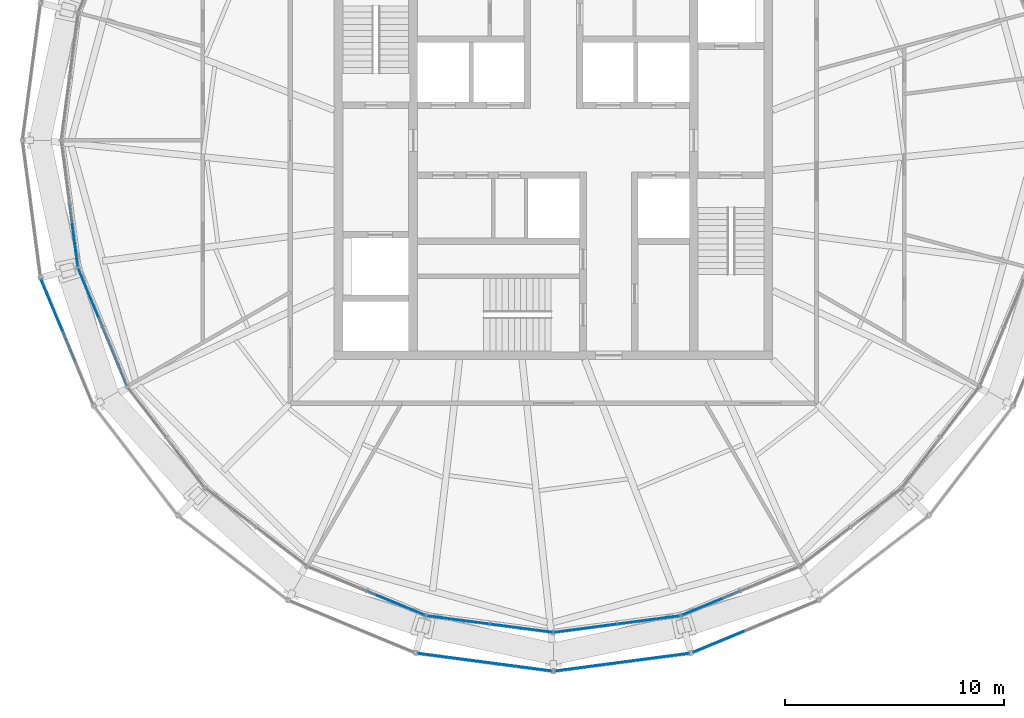
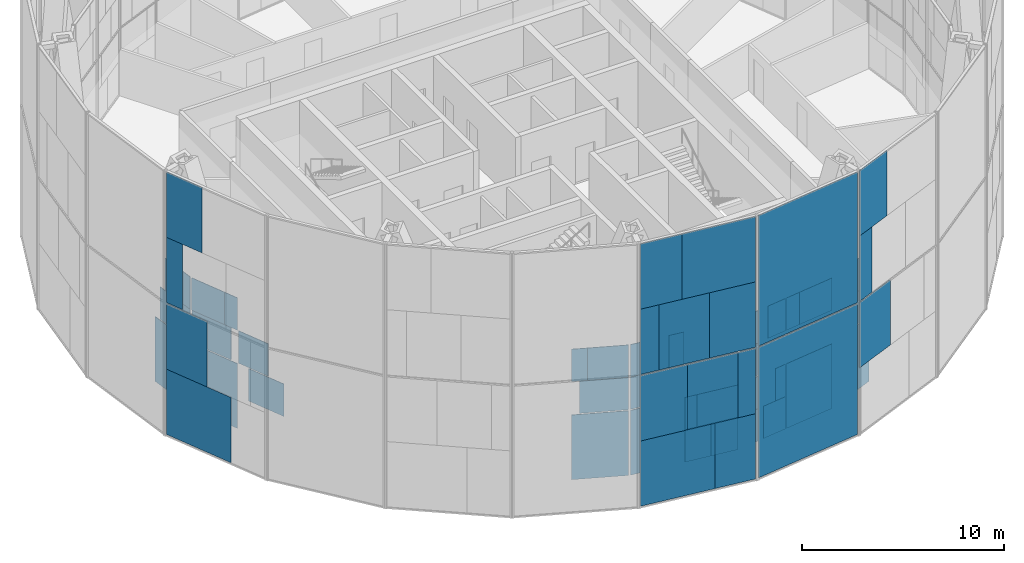
# One storey, part 10 of 22: 61 plates, 10 elements without a shape of their own.
"""IFC4 building model written with IfcOpenShell, lengths in metres."""

from ifc_helpers import new_model, si_unit, direction, frame, origin, origin_2d, place, context, subcontext, project, spatial, rectangle, extrude, material, layer, layer_set, type_object, element, aggregate, save


model = new_model("IFC4")

# Units and contexts
model_context = context("Model", 3, precision=1e-05, world=origin(), true_north=direction((0.0, 1.0)))
body_context = subcontext(model_context, "Body", "Model", "MODEL_VIEW")
ifc_project = project(units=[si_unit("LENGTHUNIT", "METRE"), si_unit("AREAUNIT", "SQUARE_METRE"), si_unit("VOLUMEUNIT", "CUBIC_METRE"), si_unit("PLANEANGLEUNIT", "RADIAN"), si_unit("MASSUNIT", "GRAM", prefix="KILO")], contexts=[model_context])

# Site, building, storey
site_placement = place(None, origin())
site = spatial("IfcSite", under=ifc_project, at=site_placement, CompositionType="ELEMENT")
building_placement = place(site_placement, origin())
building = spatial("IfcBuilding", under=site, at=building_placement, Name="Golbaran Civic Tower", CompositionType="ELEMENT")
storey_placement = place(building_placement, frame((0.0, 0.0, 248.0)))
storey = spatial("IfcBuildingStorey", under=building, at=storey_placement, Name="L60", CompositionType="ELEMENT", Elevation=248.0)

# Curtain wall, plates
ifc_material_1 = material(Name="Aluminium and glass", Category="aluminium")
curtain_wall_type_1 = type_object("IfcCurtainWallType", Name="INNER SKIN CURTAIN WALL EXECUTIVE", PredefinedType="NOTDEFINED", material=ifc_material_1)
curtain_wall_1_placement = place(storey_placement, origin())
curtain_wall_1 = element("IfcCurtainWall", 1, at=curtain_wall_1_placement, inside=storey, type_object=curtain_wall_type_1, Name="Inner skin L60 facet 13 CW2", ObjectType="INNER SKIN", PredefinedType="USERDEFINED")
ifc_material_2 = material(Name="Clear insulating glass", Category="glass")
ifc_layer_1 = layer(ifc_material_2, 0.031982421875, Name="Clear insulating glass")
ifc_layer_set_1 = layer_set([ifc_layer_1], Name="Clear insulating glass")
plate_type_1 = type_object("IfcPlateType", Name="INNER SKIN CURTAIN WALL EXECUTIVE GLAZED PANEL", PredefinedType="CURTAIN_PANEL", material=ifc_layer_set_1)
plate_1_placement = place(storey_placement, frame((-21.880126953125, -4.34326171875, 0.06005859375), z_axis=(0.0, 0.0, 1.0), x_axis=(0.130526192185, -0.991444861378, 0.0)))
plate_1 = element("IfcPlate", 2, at=plate_1_placement, type_object=plate_type_1, Name="CW2 panel 2.1", PredefinedType="CURTAIN_PANEL", context=body_context, shape_type="SweptSolid", body=[
    extrude(rectangle(XDim=2.840576171875, YDim=0.031982421875, at=origin_2d()), origin(), (0.0, 0.0, 1.0), 3.909912109375),
])
plate_2_placement = place(storey_placement, frame((-21.85400390625, -4.541748046875, 4.030029296875), z_axis=(0.0, 0.0, 1.0), x_axis=(0.130526192185, -0.991444861378, 0.0)))
plate_2 = element("IfcPlate", 3, at=plate_2_placement, type_object=plate_type_1, Name="CW2 panel 2.2 part 2", PredefinedType="CURTAIN_PANEL", context=body_context, shape_type="SweptSolid", body=[
    extrude(rectangle(XDim=2.440673828125, YDim=0.031982421875, at=origin_2d()), origin(), (0.0, 0.0, 1.0), 1.955078125),
])
plate_3_placement = place(storey_placement, frame((-21.828125, -4.738525390625, 5.98486328125), z_axis=(0.0, 0.0, 1.0), x_axis=(0.130526192185, -0.991444861378, 0.0)))
plate_3 = element("IfcPlate", 4, at=plate_3_placement, type_object=plate_type_1, Name="CW2 panel 2.2 part 4", PredefinedType="CURTAIN_PANEL", context=body_context, shape_type="SweptSolid", body=[
    extrude(rectangle(XDim=2.04345703125, YDim=0.031982421875, at=origin_2d()), origin(), (0.0, 0.0, 1.0), 1.955078125),
])
aggregate(curtain_wall_1, [plate_1, plate_2, plate_3])

curtain_wall_2_placement = place(storey_placement, origin())
curtain_wall_2 = element("IfcCurtainWall", 5, at=curtain_wall_2_placement, inside=storey, type_object=curtain_wall_type_1, Name="Inner skin L60 facet 14 CW2", ObjectType="INNER SKIN", PredefinedType="USERDEFINED")
plate_4_placement = place(storey_placement, frame((-21.12060546875, -7.1787109375, 0.06005859375), z_axis=(0.0, 0.0, 1.0), x_axis=(0.382683432381, -0.923879532505, 0.0)))
plate_4 = element("IfcPlate", 6, at=plate_4_placement, type_object=plate_type_1, Name="CW2 panel 1.1", PredefinedType="CURTAIN_PANEL", context=body_context, shape_type="SweptSolid", body=[
    extrude(rectangle(XDim=2.840576171875, YDim=0.031982421875, at=origin_2d()), origin(), (0.0, 0.0, 1.0), 3.909912109375),
])
plate_5_placement = place(storey_placement, frame((-21.197265625, -6.9931640625, 4.030029296875), z_axis=(0.0, 0.0, 1.0), x_axis=(0.382683432381, -0.923879532505, 0.0)))
plate_5 = element("IfcPlate", 7, at=plate_5_placement, type_object=plate_type_1, Name="CW2 panel 1.2 part 1", PredefinedType="CURTAIN_PANEL", context=body_context, shape_type="SweptSolid", body=[
    extrude(rectangle(XDim=2.43896484375, YDim=0.031982421875, at=origin_2d()), origin(), (0.0, 0.0, 1.0), 1.955078125),
])
plate_6_placement = place(storey_placement, frame((-21.273193359375, -6.810302734375, 5.98486328125), z_axis=(0.0, 0.0, 1.0), x_axis=(0.382683432381, -0.923879532505, 0.0)))
plate_6 = element("IfcPlate", 8, at=plate_6_placement, type_object=plate_type_1, Name="CW2 panel 1.2 part 3", PredefinedType="CURTAIN_PANEL", context=body_context, shape_type="SweptSolid", body=[
    extrude(rectangle(XDim=2.04296875, YDim=0.031982421875, at=origin_2d()), origin(), (0.0, 0.0, 1.0), 1.955078125),
])

curtain_wall_3_placement = place(storey_placement, origin())
curtain_wall_3 = element("IfcCurtainWall", 9, at=curtain_wall_3_placement, inside=storey, type_object=curtain_wall_type_1, Name="Inner skin L60 facet 17 CW2", ObjectType="INNER SKIN", PredefinedType="USERDEFINED")
plate_7_placement = place(storey_placement, frame((-7.1787109375, -21.12060546875, 0.06005859375), z_axis=(0.0, 0.0, 1.0), x_axis=(0.923879532505, -0.382683432381, 0.0)))
plate_7 = element("IfcPlate", 10, at=plate_7_placement, type_object=plate_type_1, Name="CW2 panel 2.1", PredefinedType="CURTAIN_PANEL", context=body_context, shape_type="SweptSolid", body=[
    extrude(rectangle(XDim=2.840576171875, YDim=0.031982421875, at=origin_2d()), origin(), (0.0, 0.0, 1.0), 3.909912109375),
])
plate_8_placement = place(storey_placement, frame((-6.993896484375, -21.197021484375, 4.030029296875), z_axis=(0.0, 0.0, 1.0), x_axis=(0.923879532505, -0.382683432381, 0.0)))
plate_8 = element("IfcPlate", 11, at=plate_8_placement, type_object=plate_type_1, Name="CW2 panel 2.2 part 2", PredefinedType="CURTAIN_PANEL", context=body_context, shape_type="SweptSolid", body=[
    extrude(rectangle(XDim=2.440673828125, YDim=0.031982421875, at=origin_2d()), origin(), (0.0, 0.0, 1.0), 1.955078125),
])
plate_9_placement = place(storey_placement, frame((-6.810546875, -21.27294921875, 5.98486328125), z_axis=(0.0, 0.0, 1.0), x_axis=(0.923879532505, -0.382683432381, 0.0)))
plate_9 = element("IfcPlate", 12, at=plate_9_placement, type_object=plate_type_1, Name="CW2 panel 2.2 part 4", PredefinedType="CURTAIN_PANEL", context=body_context, shape_type="SweptSolid", body=[
    extrude(rectangle(XDim=2.04345703125, YDim=0.031982421875, at=origin_2d()), origin(), (0.0, 0.0, 1.0), 1.955078125),
])

curtain_wall_4_placement = place(storey_placement, origin())
curtain_wall_4 = element("IfcCurtainWall", 13, at=curtain_wall_4_placement, inside=storey, type_object=curtain_wall_type_1, Name="Inner skin L60 facet 18 CW2", ObjectType="INNER SKIN", PredefinedType="USERDEFINED")
plate_10_placement = place(storey_placement, frame((-4.34326171875, -21.880126953125, 0.06005859375), z_axis=(0.0, 0.0, 1.0), x_axis=(0.991444861378, -0.130526192185, 0.0)))
plate_10 = element("IfcPlate", 14, at=plate_10_placement, type_object=plate_type_1, Name="CW2 panel 1.1", PredefinedType="CURTAIN_PANEL", context=body_context, shape_type="SweptSolid", body=[
    extrude(rectangle(XDim=2.840576171875, YDim=0.031982421875, at=origin_2d()), origin(), (0.0, 0.0, 1.0), 3.909912109375),
])
plate_11_placement = place(storey_placement, frame((-4.54248046875, -21.85400390625, 4.030029296875), z_axis=(0.0, 0.0, 1.0), x_axis=(0.991444861378, -0.130526192185, 0.0)))
plate_11 = element("IfcPlate", 15, at=plate_11_placement, type_object=plate_type_1, Name="CW2 panel 1.2 part 1", PredefinedType="CURTAIN_PANEL", context=body_context, shape_type="SweptSolid", body=[
    extrude(rectangle(XDim=2.43896484375, YDim=0.031982421875, at=origin_2d()), origin(), (0.0, 0.0, 1.0), 1.955078125),
])
plate_12_placement = place(storey_placement, frame((-4.73876953125, -21.828125, 5.98486328125), z_axis=(0.0, 0.0, 1.0), x_axis=(0.991444861378, -0.130526192185, 0.0)))
plate_12 = element("IfcPlate", 16, at=plate_12_placement, type_object=plate_type_1, Name="CW2 panel 1.2 part 3", PredefinedType="CURTAIN_PANEL", context=body_context, shape_type="SweptSolid", body=[
    extrude(rectangle(XDim=2.04296875, YDim=0.031982421875, at=origin_2d()), origin(), (0.0, 0.0, 1.0), 1.955078125),
])
plate_13_placement = place(storey_placement, frame((-2.190185546875, -22.16357421875, 0.06005859375), z_axis=(0.0, 0.0, 1.0), x_axis=(0.991444861378, -0.130526192185, 0.0)))
plate_13 = element("IfcPlate", 17, at=plate_13_placement, type_object=plate_type_1, Name="CW2 panel 2.1 part 1", PredefinedType="CURTAIN_PANEL", context=body_context, shape_type="SweptSolid", body=[
    extrude(rectangle(XDim=1.383056640625, YDim=0.031982421875, at=origin_2d()), origin(), (0.0, 0.0, 1.0), 1.955078125),
])
plate_14_placement = place(storey_placement, frame((-2.556396484375, -22.115478515625, 2.014892578125), z_axis=(0.0, 0.0, 1.0), x_axis=(0.991444861378, -0.130526192185, 0.0)))
plate_14 = element("IfcPlate", 18, at=plate_14_placement, type_object=plate_type_1, Name="CW2 panel 2.1 part 3", PredefinedType="CURTAIN_PANEL", context=body_context, shape_type="SweptSolid", body=[
    extrude(rectangle(XDim=0.64404296875, YDim=0.031982421875, at=origin_2d()), origin(), (0.0, 0.0, 1.0), 1.955078125),
])
plate_15_placement = place(storey_placement, frame((-0.551513671875, -22.37939453125, 4.030029296875), z_axis=(0.0, 0.0, 1.0), x_axis=(0.991444861378, -0.130526192185, 0.0)))
plate_15 = element("IfcPlate", 19, at=plate_15_placement, type_object=plate_type_1, Name="CW2 panel 2.2 part 2", PredefinedType="CURTAIN_PANEL", context=body_context, shape_type="SweptSolid", body=[
    extrude(rectangle(XDim=0.99267578125, YDim=0.031982421875, at=origin_2d()), origin(), (0.0, 0.0, 1.0), 1.955078125),
])
plate_16_placement = place(storey_placement, frame((-0.91845703125, -22.3310546875, 5.98486328125), z_axis=(0.0, 0.0, 1.0), x_axis=(0.991444861378, -0.130526192185, 0.0)))
plate_16 = element("IfcPlate", 20, at=plate_16_placement, type_object=plate_type_1, Name="CW2 panel 2.2 part 4", PredefinedType="CURTAIN_PANEL", context=body_context, shape_type="SweptSolid", body=[
    extrude(rectangle(XDim=1.732666015625, YDim=0.031982421875, at=origin_2d()), origin(), (0.0, 0.0, 1.0), 1.955078125),
])

curtain_wall_5_placement = place(storey_placement, origin())
curtain_wall_5 = element("IfcCurtainWall", 21, at=curtain_wall_5_placement, inside=storey, type_object=curtain_wall_type_1, Name="Inner skin L60 facet 19 CW2", ObjectType="INNER SKIN", PredefinedType="USERDEFINED")
plate_17_placement = place(storey_placement, frame((2.18994140625, -22.16357421875, 0.06005859375), z_axis=(0.0, 0.0, 1.0), x_axis=(0.991444861378, 0.130526192185, 0.0)))
plate_17 = element("IfcPlate", 22, at=plate_17_placement, type_object=plate_type_1, Name="CW2 panel 1.1 part 2", PredefinedType="CURTAIN_PANEL", context=body_context, shape_type="SweptSolid", body=[
    extrude(rectangle(XDim=1.383544921875, YDim=0.031982421875, at=origin_2d()), origin(), (0.0, 0.0, 1.0), 1.955078125),
])
plate_18_placement = place(storey_placement, frame((2.55615234375, -22.115478515625, 2.014892578125), z_axis=(0.0, 0.0, 1.0), x_axis=(0.991444861378, 0.130526192185, 0.0)))
plate_18 = element("IfcPlate", 23, at=plate_18_placement, type_object=plate_type_1, Name="CW2 panel 1.1 part 4", PredefinedType="CURTAIN_PANEL", context=body_context, shape_type="SweptSolid", body=[
    extrude(rectangle(XDim=0.64453125, YDim=0.031982421875, at=origin_2d()), origin(), (0.0, 0.0, 1.0), 1.955078125),
])
plate_19_placement = place(storey_placement, frame((0.5517578125, -22.37939453125, 4.030029296875), z_axis=(0.0, 0.0, 1.0), x_axis=(0.991444861378, 0.130526192185, 0.0)))
plate_19 = element("IfcPlate", 24, at=plate_19_placement, type_object=plate_type_1, Name="CW2 panel 1.2 part 1", PredefinedType="CURTAIN_PANEL", context=body_context, shape_type="SweptSolid", body=[
    extrude(rectangle(XDim=0.992919921875, YDim=0.031982421875, at=origin_2d()), origin(), (0.0, 0.0, 1.0), 1.955078125),
])
plate_20_placement = place(storey_placement, frame((0.91796875, -22.3310546875, 5.98486328125), z_axis=(0.0, 0.0, 1.0), x_axis=(0.991444861378, 0.130526192185, 0.0)))
plate_20 = element("IfcPlate", 25, at=plate_20_placement, type_object=plate_type_1, Name="CW2 panel 1.2 part 3", PredefinedType="CURTAIN_PANEL", context=body_context, shape_type="SweptSolid", body=[
    extrude(rectangle(XDim=1.73193359375, YDim=0.031982421875, at=origin_2d()), origin(), (0.0, 0.0, 1.0), 1.955078125),
])
plate_21_placement = place(storey_placement, frame((4.34326171875, -21.880126953125, 0.06005859375), z_axis=(0.0, 0.0, 1.0), x_axis=(0.991444861378, 0.130526192185, 0.0)))
plate_21 = element("IfcPlate", 26, at=plate_21_placement, type_object=plate_type_1, Name="CW2 panel 2.1", PredefinedType="CURTAIN_PANEL", context=body_context, shape_type="SweptSolid", body=[
    extrude(rectangle(XDim=2.840576171875, YDim=0.031982421875, at=origin_2d()), origin(), (0.0, 0.0, 1.0), 3.909912109375),
])
plate_22_placement = place(storey_placement, frame((4.541748046875, -21.85400390625, 4.030029296875), z_axis=(0.0, 0.0, 1.0), x_axis=(0.991444861378, 0.130526192185, 0.0)))
plate_22 = element("IfcPlate", 27, at=plate_22_placement, type_object=plate_type_1, Name="CW2 panel 2.2 part 2", PredefinedType="CURTAIN_PANEL", context=body_context, shape_type="SweptSolid", body=[
    extrude(rectangle(XDim=2.440673828125, YDim=0.031982421875, at=origin_2d()), origin(), (0.0, 0.0, 1.0), 1.955078125),
])
plate_23_placement = place(storey_placement, frame((4.738525390625, -21.828125, 5.98486328125), z_axis=(0.0, 0.0, 1.0), x_axis=(0.991444861378, 0.130526192185, 0.0)))
plate_23 = element("IfcPlate", 28, at=plate_23_placement, type_object=plate_type_1, Name="CW2 panel 2.2 part 4", PredefinedType="CURTAIN_PANEL", context=body_context, shape_type="SweptSolid", body=[
    extrude(rectangle(XDim=2.04345703125, YDim=0.031982421875, at=origin_2d()), origin(), (0.0, 0.0, 1.0), 1.955078125),
])

curtain_wall_6_placement = place(storey_placement, origin())
curtain_wall_6 = element("IfcCurtainWall", 29, at=curtain_wall_6_placement, inside=storey, type_object=curtain_wall_type_1, Name="Inner skin L60 facet 20 CW2", ObjectType="INNER SKIN", PredefinedType="USERDEFINED")
plate_24_placement = place(storey_placement, frame((7.1787109375, -21.12060546875, 0.06005859375), z_axis=(0.0, 0.0, 1.0), x_axis=(0.923879532505, 0.382683432381, 0.0)))
plate_24 = element("IfcPlate", 30, at=plate_24_placement, type_object=plate_type_1, Name="CW2 panel 1.1", PredefinedType="CURTAIN_PANEL", context=body_context, shape_type="SweptSolid", body=[
    extrude(rectangle(XDim=2.840576171875, YDim=0.031982421875, at=origin_2d()), origin(), (0.0, 0.0, 1.0), 3.909912109375),
])
plate_25_placement = place(storey_placement, frame((6.9931640625, -21.197265625, 4.030029296875), z_axis=(0.0, 0.0, 1.0), x_axis=(0.923879532505, 0.382683432381, 0.0)))
plate_25 = element("IfcPlate", 31, at=plate_25_placement, type_object=plate_type_1, Name="CW2 panel 1.2 part 1", PredefinedType="CURTAIN_PANEL", context=body_context, shape_type="SweptSolid", body=[
    extrude(rectangle(XDim=2.43896484375, YDim=0.031982421875, at=origin_2d()), origin(), (0.0, 0.0, 1.0), 1.955078125),
])
plate_26_placement = place(storey_placement, frame((6.810302734375, -21.273193359375, 5.98486328125), z_axis=(0.0, 0.0, 1.0), x_axis=(0.923879532505, 0.382683432381, 0.0)))
plate_26 = element("IfcPlate", 32, at=plate_26_placement, type_object=plate_type_1, Name="CW2 panel 1.2 part 3", PredefinedType="CURTAIN_PANEL", context=body_context, shape_type="SweptSolid", body=[
    extrude(rectangle(XDim=2.04296875, YDim=0.031982421875, at=origin_2d()), origin(), (0.0, 0.0, 1.0), 1.955078125),
])
aggregate(curtain_wall_6, [plate_24, plate_25, plate_26])

# Plate
ifc_material_3 = material(Name="Aluminium faced opaque infill panel", Category="aluminium")
ifc_layer_2 = layer(ifc_material_3, 0.031982421875, Name="Aluminium faced opaque infill panel")
ifc_layer_set_2 = layer_set([ifc_layer_2], Name="Aluminium faced opaque infill panel")
plate_type_2 = type_object("IfcPlateType", Name="INNER SKIN CURTAIN WALL EXECUTIVE OPAQUE INFILL PANEL", PredefinedType="CURTAIN_PANEL", material=ifc_layer_set_2)
plate_27_placement = place(storey_placement, frame((-20.7294921875, -8.122314453125, 5.98486328125), z_axis=(0.0, 0.0, 1.0), x_axis=(0.382683432381, -0.923879532505, 0.0)))
plate_27 = element("IfcPlate", 33, at=plate_27_placement, type_object=plate_type_2, Name="CW2 infill panel 1.2 part 4", PredefinedType="CURTAIN_PANEL", context=body_context, shape_type="SweptSolid", body=[
    extrude(rectangle(XDim=0.797607421875, YDim=0.031982421875, at=origin_2d()), origin(), (0.0, 0.0, 1.0), 1.955078125),
])

plate_28_placement = place(storey_placement, frame((-19.88720703125, -10.15576171875, 2.014892578125), z_axis=(0.0, 0.0, 1.0), x_axis=(0.382683432381, -0.923879532505, 0.0)))
plate_28 = element("IfcPlate", 34, at=plate_28_placement, type_object=plate_type_2, Name="CW2 infill panel 2.1 part 4", PredefinedType="CURTAIN_PANEL", context=body_context, shape_type="SweptSolid", body=[
    extrude(rectangle(XDim=2.196533203125, YDim=0.031982421875, at=origin_2d()), origin(), (0.0, 0.0, 1.0), 1.955078125),
])

plate_29_placement = place(storey_placement, frame((-20.200439453125, -9.39990234375, 4.030029296875), z_axis=(0.0, 0.0, 1.0), x_axis=(0.382683432381, -0.923879532505, 0.0)))
plate_29 = element("IfcPlate", 35, at=plate_29_placement, type_object=plate_type_2, Name="CW2 infill panel 2.2 part 1", PredefinedType="CURTAIN_PANEL", context=body_context, shape_type="SweptSolid", body=[
    extrude(rectangle(XDim=1.847900390625, YDim=0.031982421875, at=origin_2d()), origin(), (0.0, 0.0, 1.0), 1.955078125),
])

aggregate(curtain_wall_2, [plate_4, plate_5, plate_6, plate_27, plate_28, plate_29])

plate_30_placement = place(storey_placement, frame((-8.12255859375, -20.7294921875, 5.98486328125), z_axis=(0.0, 0.0, 1.0), x_axis=(0.923879532505, -0.382683432381, 0.0)))
plate_30 = element("IfcPlate", 36, at=plate_30_placement, type_object=plate_type_2, Name="CW2 infill panel 2.2 part 3", PredefinedType="CURTAIN_PANEL", context=body_context, shape_type="SweptSolid", body=[
    extrude(rectangle(XDim=0.797119140625, YDim=0.031982421875, at=origin_2d()), origin(), (0.0, 0.0, 1.0), 1.955078125),
])

aggregate(curtain_wall_3, [plate_7, plate_8, plate_30, plate_9])

plate_31_placement = place(storey_placement, frame((-3.13427734375, -22.039306640625, 4.030029296875), z_axis=(0.0, 0.0, 1.0), x_axis=(0.991444861378, -0.130526192185, 0.0)))
plate_31 = element("IfcPlate", 37, at=plate_31_placement, type_object=plate_type_2, Name="CW2 infill panel 1.2 part 2", PredefinedType="CURTAIN_PANEL", context=body_context, shape_type="SweptSolid", body=[
    extrude(rectangle(XDim=0.401611328125, YDim=0.031982421875, at=origin_2d()), origin(), (0.0, 0.0, 1.0), 1.955078125),
])

plate_32_placement = place(storey_placement, frame((-3.33056640625, -22.013427734375, 5.98486328125), z_axis=(0.0, 0.0, 1.0), x_axis=(0.991444861378, -0.130526192185, 0.0)))
plate_32 = element("IfcPlate", 38, at=plate_32_placement, type_object=plate_type_2, Name="CW2 infill panel 1.2 part 4", PredefinedType="CURTAIN_PANEL", context=body_context, shape_type="SweptSolid", body=[
    extrude(rectangle(XDim=0.797607421875, YDim=0.031982421875, at=origin_2d()), origin(), (0.0, 0.0, 1.0), 1.955078125),
])

plate_33_placement = place(storey_placement, frame((-0.781982421875, -22.34912109375, 0.06005859375), z_axis=(0.0, 0.0, 1.0), x_axis=(0.991444861378, -0.130526192185, 0.0)))
plate_33 = element("IfcPlate", 39, at=plate_33_placement, type_object=plate_type_2, Name="CW2 infill panel 2.1 part 2", PredefinedType="CURTAIN_PANEL", context=body_context, shape_type="SweptSolid", body=[
    extrude(rectangle(XDim=1.45751953125, YDim=0.031982421875, at=origin_2d()), origin(), (0.0, 0.0, 1.0), 1.955078125),
])

plate_34_placement = place(storey_placement, frame((-1.1484375, -22.30078125, 2.014892578125), z_axis=(0.0, 0.0, 1.0), x_axis=(0.991444861378, -0.130526192185, 0.0)))
plate_34 = element("IfcPlate", 40, at=plate_34_placement, type_object=plate_type_2, Name="CW2 infill panel 2.1 part 4", PredefinedType="CURTAIN_PANEL", context=body_context, shape_type="SweptSolid", body=[
    extrude(rectangle(XDim=2.196533203125, YDim=0.031982421875, at=origin_2d()), origin(), (0.0, 0.0, 1.0), 1.955078125),
])

plate_35_placement = place(storey_placement, frame((-1.959716796875, -22.194091796875, 4.030029296875), z_axis=(0.0, 0.0, 1.0), x_axis=(0.991444861378, -0.130526192185, 0.0)))
plate_35 = element("IfcPlate", 41, at=plate_35_placement, type_object=plate_type_2, Name="CW2 infill panel 2.2 part 1", PredefinedType="CURTAIN_PANEL", context=body_context, shape_type="SweptSolid", body=[
    extrude(rectangle(XDim=1.847900390625, YDim=0.031982421875, at=origin_2d()), origin(), (0.0, 0.0, 1.0), 1.955078125),
])

plate_36_placement = place(storey_placement, frame((-2.326416015625, -22.145751953125, 5.98486328125), z_axis=(0.0, 0.0, 1.0), x_axis=(0.991444861378, -0.130526192185, 0.0)))
plate_36 = element("IfcPlate", 42, at=plate_36_placement, type_object=plate_type_2, Name="CW2 infill panel 2.2 part 3", PredefinedType="CURTAIN_PANEL", context=body_context, shape_type="SweptSolid", body=[
    extrude(rectangle(XDim=1.10791015625, YDim=0.031982421875, at=origin_2d()), origin(), (0.0, 0.0, 1.0), 1.955078125),
])

aggregate(curtain_wall_4, [plate_10, plate_11, plate_31, plate_12, plate_32, plate_13, plate_33, plate_14, plate_34, plate_35, plate_15, plate_36, plate_16])

plate_37_placement = place(storey_placement, frame((0.78173828125, -22.34912109375, 0.06005859375), z_axis=(0.0, 0.0, 1.0), x_axis=(0.991444861378, 0.130526192185, 0.0)))
plate_37 = element("IfcPlate", 43, at=plate_37_placement, type_object=plate_type_2, Name="CW2 infill panel 1.1 part 1", PredefinedType="CURTAIN_PANEL", context=body_context, shape_type="SweptSolid", body=[
    extrude(rectangle(XDim=1.45703125, YDim=0.031982421875, at=origin_2d()), origin(), (0.0, 0.0, 1.0), 1.955078125),
])

plate_38_placement = place(storey_placement, frame((1.148193359375, -22.30078125, 2.014892578125), z_axis=(0.0, 0.0, 1.0), x_axis=(0.991444861378, 0.130526192185, 0.0)))
plate_38 = element("IfcPlate", 44, at=plate_38_placement, type_object=plate_type_2, Name="CW2 infill panel 1.1 part 3", PredefinedType="CURTAIN_PANEL", context=body_context, shape_type="SweptSolid", body=[
    extrude(rectangle(XDim=2.196044921875, YDim=0.031982421875, at=origin_2d()), origin(), (0.0, 0.0, 1.0), 1.955078125),
])

plate_39_placement = place(storey_placement, frame((1.9599609375, -22.194091796875, 4.030029296875), z_axis=(0.0, 0.0, 1.0), x_axis=(0.991444861378, 0.130526192185, 0.0)))
plate_39 = element("IfcPlate", 45, at=plate_39_placement, type_object=plate_type_2, Name="CW2 infill panel 1.2 part 2", PredefinedType="CURTAIN_PANEL", context=body_context, shape_type="SweptSolid", body=[
    extrude(rectangle(XDim=1.84765625, YDim=0.031982421875, at=origin_2d()), origin(), (0.0, 0.0, 1.0), 1.955078125),
])

plate_40_placement = place(storey_placement, frame((2.326171875, -22.145751953125, 5.98486328125), z_axis=(0.0, 0.0, 1.0), x_axis=(0.991444861378, 0.130526192185, 0.0)))
plate_40 = element("IfcPlate", 46, at=plate_40_placement, type_object=plate_type_2, Name="CW2 infill panel 1.2 part 4", PredefinedType="CURTAIN_PANEL", context=body_context, shape_type="SweptSolid", body=[
    extrude(rectangle(XDim=1.108642578125, YDim=0.031982421875, at=origin_2d()), origin(), (0.0, 0.0, 1.0), 1.955078125),
])

plate_41_placement = place(storey_placement, frame((3.133544921875, -22.03955078125, 4.030029296875), z_axis=(0.0, 0.0, 1.0), x_axis=(0.991444861378, 0.130526192185, 0.0)))
plate_41 = element("IfcPlate", 47, at=plate_41_placement, type_object=plate_type_2, Name="CW2 infill panel 2.2 part 1", PredefinedType="CURTAIN_PANEL", context=body_context, shape_type="SweptSolid", body=[
    extrude(rectangle(XDim=0.39990234375, YDim=0.031982421875, at=origin_2d()), origin(), (0.0, 0.0, 1.0), 1.955078125),
])

plate_42_placement = place(storey_placement, frame((3.330322265625, -22.013671875, 5.98486328125), z_axis=(0.0, 0.0, 1.0), x_axis=(0.991444861378, 0.130526192185, 0.0)))
plate_42 = element("IfcPlate", 48, at=plate_42_placement, type_object=plate_type_2, Name="CW2 infill panel 2.2 part 3", PredefinedType="CURTAIN_PANEL", context=body_context, shape_type="SweptSolid", body=[
    extrude(rectangle(XDim=0.797119140625, YDim=0.031982421875, at=origin_2d()), origin(), (0.0, 0.0, 1.0), 1.955078125),
])

aggregate(curtain_wall_5, [plate_37, plate_17, plate_38, plate_18, plate_19, plate_39, plate_20, plate_40, plate_21, plate_41, plate_22, plate_42, plate_23])

# Curtain wall, plates
curtain_wall_type_2 = type_object("IfcCurtainWallType", Name="OUTER SKIN TERRACOTTA SCREEN", PredefinedType="NOTDEFINED", material=ifc_material_1)
curtain_wall_7_placement = place(storey_placement, origin())
curtain_wall_7 = element("IfcCurtainWall", 49, at=curtain_wall_7_placement, inside=storey, type_object=curtain_wall_type_2, Name="Outer skin L60 facet 14 CW3", ObjectType="OUTER SKIN", PredefinedType="USERDEFINED")
ifc_material_4 = material(Name="Clear laminated glass", Category="glass")
ifc_layer_3 = layer(ifc_material_4, 0.0400390625, Name="Clear laminated glass")
ifc_layer_set_3 = layer_set([ifc_layer_3], Name="Clear laminated glass")
plate_type_3 = type_object("IfcPlateType", Name="OUTER SKIN CLEAR GLASS PANEL", PredefinedType="CURTAIN_PANEL", material=ifc_layer_set_3)
plate_43_placement = place(storey_placement, frame((-22.6005859375, -8.193359375, -0.6298828125), z_axis=(0.0, 0.0, 1.0), x_axis=(0.382683432349, -0.923879532518, 0.0)))
plate_43 = element("IfcPlate", 50, at=plate_43_placement, type_object=plate_type_3, Name="CW3 panel 1.1 part 1", PredefinedType="CURTAIN_PANEL", context=body_context, shape_type="SweptSolid", body=[
    extrude(rectangle(XDim=4.0048828125, YDim=0.0400390625, at=origin_2d()), origin(), (0.0, 0.0, 1.0), 3.93994140625),
])
plate_44_placement = place(storey_placement, frame((-22.8857421875, -7.505126953125, 3.31005859375), z_axis=(0.0, 0.0, 1.0), x_axis=(0.382683432349, -0.923879532518, 0.0)))
plate_44 = element("IfcPlate", 51, at=plate_44_placement, type_object=plate_type_3, Name="CW3 panel 1.1 part 3", PredefinedType="CURTAIN_PANEL", context=body_context, shape_type="SweptSolid", body=[
    extrude(rectangle(XDim=2.514892578125, YDim=0.0400390625, at=origin_2d()), origin(), (0.0, 0.0, 1.0), 3.93994140625),
])
plate_45_placement = place(storey_placement, frame((-23.176513671875, -6.802978515625, 7.330078125), z_axis=(0.0, 0.0, 1.0), x_axis=(0.382683432349, -0.923879532518, 0.0)))
plate_45 = element("IfcPlate", 52, at=plate_45_placement, type_object=plate_type_3, Name="CW3 panel 1.2 part 1", PredefinedType="CURTAIN_PANEL", context=body_context, shape_type="SweptSolid", body=[
    extrude(rectangle(XDim=0.9951171875, YDim=0.0400390625, at=origin_2d()), origin(), (0.0, 0.0, 1.0), 3.93994140625),
])

curtain_wall_8_placement = place(storey_placement, origin())
curtain_wall_8 = element("IfcCurtainWall", 53, at=curtain_wall_8_placement, inside=storey, type_object=curtain_wall_type_2, Name="Outer skin L60 facet 18 CW3", ObjectType="OUTER SKIN", PredefinedType="USERDEFINED")
plate_46_placement = place(storey_placement, frame((-4.20458984375, -23.66943359375, -0.6298828125), z_axis=(0.0, 0.0, 1.0), x_axis=(0.991444861372, -0.130526192237, 0.0)))
plate_46 = element("IfcPlate", 54, at=plate_46_placement, type_object=plate_type_3, Name="CW3 panel 1.1 part 1", PredefinedType="CURTAIN_PANEL", context=body_context, shape_type="SweptSolid", body=[
    extrude(rectangle(XDim=4.0048828125, YDim=0.0400390625, at=origin_2d()), origin(), (0.0, 0.0, 1.0), 3.93994140625),
])
plate_47_placement = place(storey_placement, frame((-4.943359375, -23.572265625, 3.31005859375), z_axis=(0.0, 0.0, 1.0), x_axis=(0.991444861372, -0.130526192237, 0.0)))
plate_47 = element("IfcPlate", 55, at=plate_47_placement, type_object=plate_type_3, Name="CW3 panel 1.1 part 3", PredefinedType="CURTAIN_PANEL", context=body_context, shape_type="SweptSolid", body=[
    extrude(rectangle(XDim=2.514892578125, YDim=0.0400390625, at=origin_2d()), origin(), (0.0, 0.0, 1.0), 3.93994140625),
])
plate_48_placement = place(storey_placement, frame((-0.541015625, -24.15185546875, 3.31005859375), z_axis=(0.0, 0.0, 1.0), x_axis=(0.991444861372, -0.130526192237, 0.0)))
plate_48 = element("IfcPlate", 56, at=plate_48_placement, type_object=plate_type_3, Name="CW3 panel 1.1 part 5", PredefinedType="CURTAIN_PANEL", context=body_context, shape_type="SweptSolid", body=[
    extrude(rectangle(XDim=0.931396484375, YDim=0.0400390625, at=origin_2d()), origin(), (0.0, 0.0, 1.0), 3.93994140625),
])
plate_49_placement = place(storey_placement, frame((-5.69677734375, -23.472900390625, 7.330078125), z_axis=(0.0, 0.0, 1.0), x_axis=(0.991444861372, -0.130526192237, 0.0)))
plate_49 = element("IfcPlate", 57, at=plate_49_placement, type_object=plate_type_3, Name="CW3 panel 1.2 part 1", PredefinedType="CURTAIN_PANEL", context=body_context, shape_type="SweptSolid", body=[
    extrude(rectangle(XDim=0.9951171875, YDim=0.0400390625, at=origin_2d()), origin(), (0.0, 0.0, 1.0), 3.93994140625),
])
plate_50_placement = place(storey_placement, frame((-1.295166015625, -24.052490234375, 7.330078125), z_axis=(0.0, 0.0, 1.0), x_axis=(0.991444861372, -0.130526192237, 0.0)))
plate_50 = element("IfcPlate", 58, at=plate_50_placement, type_object=plate_type_3, Name="CW3 panel 1.2 part 3", PredefinedType="CURTAIN_PANEL", context=body_context, shape_type="SweptSolid", body=[
    extrude(rectangle(XDim=2.452392578125, YDim=0.0400390625, at=origin_2d()), origin(), (0.0, 0.0, 1.0), 3.93994140625),
])
plate_51_placement = place(storey_placement, frame((-2.03759765625, -23.954833984375, 11.27001953125), z_axis=(0.0, 0.0, 1.0), x_axis=(0.991444861372, -0.130526192237, 0.0)))
plate_51 = element("IfcPlate", 59, at=plate_51_placement, type_object=plate_type_3, Name="CW3 panel 1.2 part 5", PredefinedType="CURTAIN_PANEL", context=body_context, shape_type="SweptSolid", body=[
    extrude(rectangle(XDim=3.950439453125, YDim=0.0400390625, at=origin_2d()), origin(), (0.0, 0.0, 1.0), 3.93994140625),
])

curtain_wall_9_placement = place(storey_placement, origin())
curtain_wall_9 = element("IfcCurtainWall", 60, at=curtain_wall_9_placement, inside=storey, type_object=curtain_wall_type_2, Name="Outer skin L60 facet 20 CW3", ObjectType="OUTER SKIN", PredefinedType="USERDEFINED")
plate_52_placement = place(storey_placement, frame((7.505126953125, -22.8857421875, 3.31005859375), z_axis=(0.0, 0.0, 1.0), x_axis=(0.923879532518, 0.382683432349, 0.0)))
plate_52 = element("IfcPlate", 61, at=plate_52_placement, type_object=plate_type_3, Name="CW3 panel 1.1 part 3", PredefinedType="CURTAIN_PANEL", context=body_context, shape_type="SweptSolid", body=[
    extrude(rectangle(XDim=2.514892578125, YDim=0.0400390625, at=origin_2d()), origin(), (0.0, 0.0, 1.0), 3.93994140625),
])
plate_53_placement = place(storey_placement, frame((6.802978515625, -23.176513671875, 7.330078125), z_axis=(0.0, 0.0, 1.0), x_axis=(0.923879532518, 0.382683432349, 0.0)))
plate_53 = element("IfcPlate", 62, at=plate_53_placement, type_object=plate_type_3, Name="CW3 panel 1.2 part 1", PredefinedType="CURTAIN_PANEL", context=body_context, shape_type="SweptSolid", body=[
    extrude(rectangle(XDim=0.9951171875, YDim=0.0400390625, at=origin_2d()), origin(), (0.0, 0.0, 1.0), 3.93994140625),
])

# Plate
ifc_material_5 = material(Name="Terracotta baguette screen", Category="masonry")
ifc_layer_4 = layer(ifc_material_5, 0.0400390625, Name="Terracotta baguette screen")
ifc_layer_set_4 = layer_set([ifc_layer_4], Name="Terracotta baguette screen")
plate_type_4 = type_object("IfcPlateType", Name="OUTER SKIN TERRACOTTA INFILL PANEL", PredefinedType="CURTAIN_PANEL", material=ifc_layer_set_4)
plate_54_placement = place(storey_placement, frame((-22.943603515625, -7.365478515625, 11.27001953125), z_axis=(0.0, 0.0, 1.0), x_axis=(0.382683432349, -0.923879532518, 0.0)))
plate_54 = element("IfcPlate", 63, at=plate_54_placement, type_object=plate_type_4, Name="CW3 infill panel 1.2 part 4", PredefinedType="CURTAIN_PANEL", context=body_context, shape_type="SweptSolid", body=[
    extrude(rectangle(XDim=2.212890625, YDim=0.0400390625, at=origin_2d()), origin(), (0.0, 0.0, 1.0), 3.93994140625),
])

aggregate(curtain_wall_7, [plate_43, plate_44, plate_45, plate_54])

plate_55_placement = place(storey_placement, frame((-1.1494140625, -24.07177734375, -0.6298828125), z_axis=(0.0, 0.0, 1.0), x_axis=(0.991444861372, -0.130526192237, 0.0)))
plate_55 = element("IfcPlate", 64, at=plate_55_placement, type_object=plate_type_4, Name="CW3 infill panel 1.1 part 2", PredefinedType="CURTAIN_PANEL", context=body_context, shape_type="SweptSolid", body=[
    extrude(rectangle(XDim=2.158447265625, YDim=0.0400390625, at=origin_2d()), origin(), (0.0, 0.0, 1.0), 3.93994140625),
])

plate_56_placement = place(storey_placement, frame((-2.349609375, -23.91357421875, 3.31005859375), z_axis=(0.0, 0.0, 1.0), x_axis=(0.991444861372, -0.130526192237, 0.0)))
plate_56 = element("IfcPlate", 65, at=plate_56_placement, type_object=plate_type_4, Name="CW3 infill panel 1.1 part 4", PredefinedType="CURTAIN_PANEL", context=body_context, shape_type="SweptSolid", body=[
    extrude(rectangle(XDim=2.717041015625, YDim=0.0400390625, at=origin_2d()), origin(), (0.0, 0.0, 1.0), 3.93994140625),
])

plate_57_placement = place(storey_placement, frame((-3.857177734375, -23.715087890625, 7.330078125), z_axis=(0.0, 0.0, 1.0), x_axis=(0.991444861372, -0.130526192237, 0.0)))
plate_57 = element("IfcPlate", 66, at=plate_57_placement, type_object=plate_type_4, Name="CW3 infill panel 1.2 part 2", PredefinedType="CURTAIN_PANEL", context=body_context, shape_type="SweptSolid", body=[
    extrude(rectangle(XDim=2.716064453125, YDim=0.0400390625, at=origin_2d()), origin(), (0.0, 0.0, 1.0), 3.93994140625),
])

plate_58_placement = place(storey_placement, frame((-5.093017578125, -23.552490234375, 11.27001953125), z_axis=(0.0, 0.0, 1.0), x_axis=(0.991444861372, -0.130526192237, 0.0)))
plate_58 = element("IfcPlate", 67, at=plate_58_placement, type_object=plate_type_4, Name="CW3 infill panel 1.2 part 4", PredefinedType="CURTAIN_PANEL", context=body_context, shape_type="SweptSolid", body=[
    extrude(rectangle(XDim=2.212890625, YDim=0.0400390625, at=origin_2d()), origin(), (0.0, 0.0, 1.0), 3.93994140625),
])

aggregate(curtain_wall_8, [plate_46, plate_55, plate_47, plate_56, plate_48, plate_49, plate_57, plate_50, plate_58, plate_51])

plate_59_placement = place(storey_placement, frame((7.365478515625, -22.943603515625, 11.27001953125), z_axis=(0.0, 0.0, 1.0), x_axis=(0.923879532518, 0.382683432349, 0.0)))
plate_59 = element("IfcPlate", 68, at=plate_59_placement, type_object=plate_type_4, Name="CW3 infill panel 1.2 part 4", PredefinedType="CURTAIN_PANEL", context=body_context, shape_type="SweptSolid", body=[
    extrude(rectangle(XDim=2.212890625, YDim=0.0400390625, at=origin_2d()), origin(), (0.0, 0.0, 1.0), 3.93994140625),
])

aggregate(curtain_wall_9, [plate_52, plate_53, plate_59])

# Curtain wall, plates
curtain_wall_10_placement = place(storey_placement, origin())
curtain_wall_10 = element("IfcCurtainWall", 69, at=curtain_wall_10_placement, inside=storey, type_object=curtain_wall_type_2, Name="Outer skin L60 facet 19 CW3", ObjectType="OUTER SKIN", PredefinedType="USERDEFINED")
ifc_layer_5 = layer(ifc_material_5, 0.0400390625, Name="Terracotta baguette screen")
ifc_layer_set_5 = layer_set([ifc_layer_5], Name="Terracotta baguette screen")
plate_type_5 = type_object("IfcPlateType", Name="OUTER SKIN TERRACOTTA SCREEN PANEL", PredefinedType="CURTAIN_PANEL", material=ifc_layer_set_5)
plate_60_placement = place(storey_placement, frame((3.134765625, -23.810302734375, -0.6298828125), z_axis=(0.0, 0.0, 1.0), x_axis=(0.991444861372, 0.130526192237, 0.0)))
plate_60 = element("IfcPlate", 70, at=plate_60_placement, type_object=plate_type_5, Name="CW3 terracotta screen panel 1.1", PredefinedType="CURTAIN_PANEL", context=body_context, shape_type="SweptSolid", body=[
    extrude(rectangle(XDim=6.16357421875, YDim=0.0400390625, at=origin_2d()), origin(), (0.0, 0.0, 1.0), 7.8798828125),
])
plate_61_placement = place(storey_placement, frame((3.134765625, -23.810302734375, 7.330078125), z_axis=(0.0, 0.0, 1.0), x_axis=(0.991444861372, 0.130526192237, 0.0)))
plate_61 = element("IfcPlate", 71, at=plate_61_placement, type_object=plate_type_5, Name="CW3 terracotta screen panel 1.2", PredefinedType="CURTAIN_PANEL", context=body_context, shape_type="SweptSolid", body=[
    extrude(rectangle(XDim=6.16357421875, YDim=0.0400390625, at=origin_2d()), origin(), (0.0, 0.0, 1.0), 7.8798828125),
])
aggregate(curtain_wall_10, [plate_60, plate_61])

save(model, "model.ifc")
